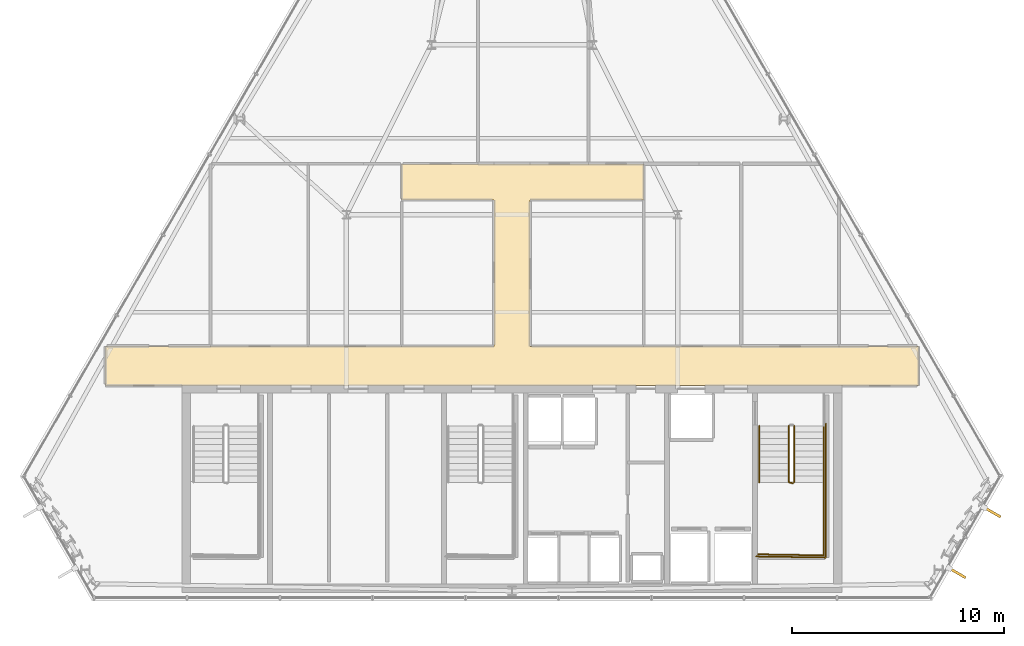
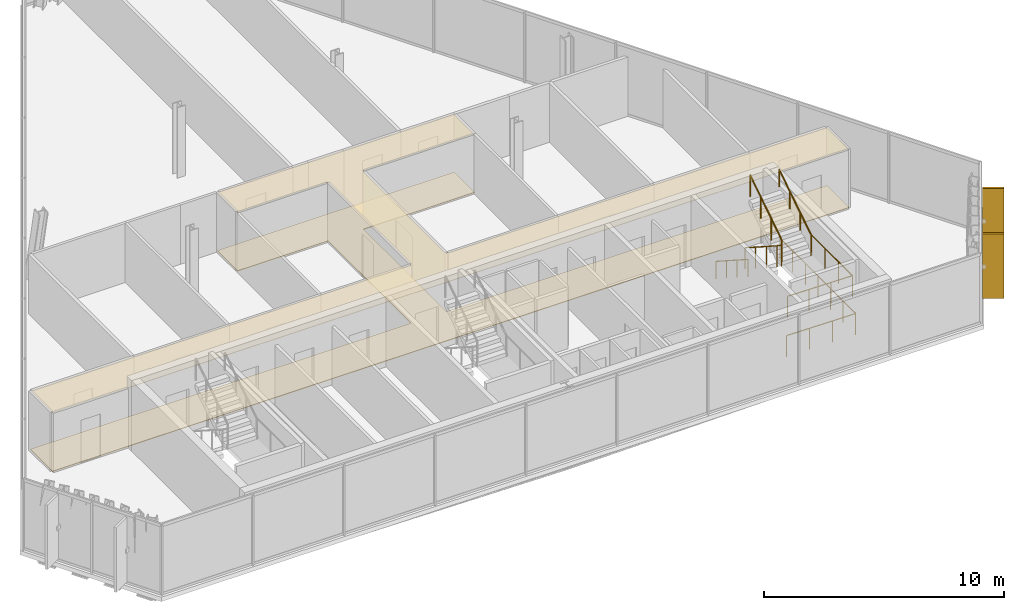
# One storey, part 28 of 29: 6 railings, 2 coverings, 2 shading devices.
"""IFC4 building model written with IfcOpenShell, lengths in metres."""

from ifc_helpers import new_model, si_unit, direction, frame, origin, origin_2d, place, context, subcontext, project, spatial, polyline, rectangle, circle, outline, extrude, material, layer, layer_set, type_object, element, save


model = new_model("IFC4")

# Units and contexts
model_context = context("Model", 3, precision=1e-05, world=origin(), true_north=direction((0.0, 1.0)))
body_context = subcontext(model_context, "Body", "Model", "MODEL_VIEW")
ifc_project = project(units=[si_unit("LENGTHUNIT", "METRE"), si_unit("AREAUNIT", "SQUARE_METRE"), si_unit("VOLUMEUNIT", "CUBIC_METRE"), si_unit("PLANEANGLEUNIT", "RADIAN"), si_unit("MASSUNIT", "GRAM", prefix="KILO")], contexts=[model_context])

# Site, building, storey
site_placement = place(None, origin())
site = spatial("IfcSite", under=ifc_project, at=site_placement, CompositionType="ELEMENT")
building_placement = place(site_placement, origin())
building = spatial("IfcBuilding", under=site, at=building_placement, Name="Ndaravel Arena Tower", CompositionType="ELEMENT")
storey_placement = place(building_placement, frame((0.0, 0.0, 248.39990234375)))
storey = spatial("IfcBuildingStorey", under=building, at=storey_placement, Name="L60", CompositionType="ELEMENT", Elevation=248.39990234375)

# Coverings
ifc_material_1 = material(Name="Acoustic Ceiling Tile", Category="finish")
ifc_layer_1 = layer(ifc_material_1, 0.02490234375)
ifc_layer_set_1 = layer_set([ifc_layer_1], Name="Acoustic Ceiling Tile")
covering_type_1 = type_object("IfcCoveringType", Name="COV-CEIL-AC600", PredefinedType="CEILING", material=ifc_layer_set_1)
covering_1_placement = place(storey_placement, frame((0.0, 0.0, 2.980712890625)))
element("IfcCovering", 1, at=covering_1_placement, inside=storey, type_object=covering_type_1, Name="L60 Corridor Acoustic Ceiling", PredefinedType="CEILING", context=body_context, shape_type="SweptSolid", body=[
    extrude(outline(polyline([(61.154052734375, 17.0), (42.85009765625, 17.0), (42.85009765625, 23.89990234375), (48.199951171875, 23.89990234375), (48.199951171875, 25.60009765625), (42.85009765625, 25.60009765625), (41.14990234375, 25.60009765625), (36.800048828125, 25.60009765625), (36.800048828125, 23.89990234375), (41.14990234375, 23.89990234375), (41.14990234375, 17.0), (22.845947265625, 17.0), (22.845947265625, 15.14990234375), (61.154052734375, 15.14990234375), (61.154052734375, 17.0)])), origin(), (0.0, 0.0, 1.0), 0.02490234375),
])
ifc_material_2 = material(Name="Terrazzo", Category="stone")
ifc_layer_2 = layer(ifc_material_2, 0.030029296875)
ifc_layer_set_2 = layer_set([ifc_layer_2], Name="Terrazzo")
covering_type_2 = type_object("IfcCoveringType", Name="COV-FLOOR-TERRAZZO", PredefinedType="FLOORING", material=ifc_layer_set_2)
covering_2_placement = place(storey_placement, origin())
element("IfcCovering", 2, at=covering_2_placement, inside=storey, type_object=covering_type_2, Name="L60 Corridor Terrazzo Flooring", PredefinedType="FLOORING", context=body_context, shape_type="SweptSolid", body=[
    extrude(outline(polyline([(61.154052734375, 17.0), (42.85009765625, 17.0), (42.85009765625, 23.89990234375), (48.199951171875, 23.89990234375), (48.199951171875, 25.60009765625), (42.85009765625, 25.60009765625), (41.14990234375, 25.60009765625), (36.800048828125, 25.60009765625), (36.800048828125, 23.89990234375), (41.14990234375, 23.89990234375), (41.14990234375, 17.0), (22.845947265625, 17.0), (22.845947265625, 15.14990234375), (61.154052734375, 15.14990234375), (61.154052734375, 17.0)])), origin(), (0.0, 0.0, 1.0), 0.030029296875),
])

# Railings
ifc_material_3 = material(Name="Steel S355", Category="steel")
ifc_layer_3 = layer(ifc_material_3, 0.06005859375)
ifc_layer_set_3 = layer_set([ifc_layer_3], Name="Steel S355")
railing_type_1 = type_object("IfcRailingType", Name="RAIL-STAIR-GD1100", PredefinedType="GUARDRAIL", material=ifc_layer_set_3)
railing_1_placement = place(storey_placement, frame((55.050048828125, 13.25, 0.190185546875)))
element("IfcRailing", 3, at=railing_1_placement, inside=storey, type_object=railing_type_1, Name="L60 ST-3 stair guard 1", PredefinedType="GUARDRAIL", context=body_context, shape_type="SweptSolid", body=[
    extrude(circle(Radius=0.02392578125, at=origin_2d()), frame((0.0, 0.0, 1.076171875), z_axis=(0.0, -0.840723540582, 0.54146461409), x_axis=(1.0, 0.0, 0.0)), (0.0, 0.0, 1.0), 3.157958984375),
    extrude(circle(Radius=0.02392578125, at=origin_2d()), frame((0.0, -2.655029296875, 2.7861328125), z_axis=(0.966993988697, -0.254799187253, 0.0), x_axis=(0.254799187253, 0.966993988697, 0.0)), (0.0, 0.0, 1.0), 0.196533203125),
    extrude(circle(Radius=0.02099609375, at=origin_2d()), origin(), (0.0, 0.0, 1.0), 1.052001953125),
    extrude(circle(Radius=0.02099609375, at=origin_2d()), frame((0.0, -0.885009765625, 0.570068359375)), (0.0, 0.0, 1.0), 1.052001953125),
    extrude(circle(Radius=0.02099609375, at=origin_2d()), frame((0.0, -1.77001953125, 1.139892578125)), (0.0, 0.0, 1.0), 1.052001953125),
    extrude(circle(Radius=0.02099609375, at=origin_2d()), frame((0.0, -2.655029296875, 1.7099609375)), (0.0, 0.0, 1.0), 1.052001953125),
    extrude(circle(Radius=0.02099609375, at=origin_2d()), frame((0.18994140625, -2.705078125, 1.7099609375)), (0.0, 0.0, 1.0), 1.052001953125),
])
railing_2_placement = place(storey_placement, frame((56.68994140625, 10.594970703125, 1.900146484375)))
element("IfcRailing", 4, at=railing_2_placement, inside=storey, type_object=railing_type_1, Name="L60 ST-3 stair guard 2", PredefinedType="GUARDRAIL", context=body_context, shape_type="SweptSolid", body=[
    extrude(circle(Radius=0.02392578125, at=origin_2d()), frame((0.0, 0.0, 1.076171875), z_axis=(0.0, -1.0, 0.0), x_axis=(1.0, 0.0, 0.0)), (0.0, 0.0, 1.0), 3.445068359375),
    extrude(circle(Radius=0.02392578125, at=origin_2d()), frame((0.0, -3.445068359375, 1.076171875), z_axis=(-0.999868840623, 0.016195726322, 0.0), x_axis=(-0.016195726322, -0.999868840623, 0.0)), (0.0, 0.0, 1.0), 3.09033203125),
    extrude(circle(Radius=0.02099609375, at=origin_2d()), origin(), (0.0, 0.0, 1.0), 1.052001953125),
    extrude(circle(Radius=0.02099609375, at=origin_2d()), frame((0.0, -1.1484375, 0.0)), (0.0, 0.0, 1.0), 1.052001953125),
    extrude(circle(Radius=0.02099609375, at=origin_2d()), frame((0.0, -2.296630859375, 0.0)), (0.0, 0.0, 1.0), 1.052001953125),
    extrude(circle(Radius=0.02099609375, at=origin_2d()), frame((0.0, -3.445068359375, 0.0)), (0.0, 0.0, 1.0), 1.052001953125),
    extrude(circle(Radius=0.02099609375, at=origin_2d()), frame((-1.030029296875, -3.428466796875, 0.0)), (0.0, 0.0, 1.0), 1.052001953125),
    extrude(circle(Radius=0.02099609375, at=origin_2d()), frame((-2.059814453125, -3.41162109375, 0.0)), (0.0, 0.0, 1.0), 1.052001953125),
    extrude(circle(Radius=0.02099609375, at=origin_2d()), frame((-3.08984375, -3.39501953125, 0.0)), (0.0, 0.0, 1.0), 1.052001953125),
])
railing_3_placement = place(storey_placement, frame((55.2900390625, 10.594970703125, 2.090087890625)))
element("IfcRailing", 5, at=railing_3_placement, inside=storey, type_object=railing_type_1, Name="L60 ST-3 stair guard 3", PredefinedType="GUARDRAIL", context=body_context, shape_type="SweptSolid", body=[
    extrude(circle(Radius=0.02392578125, at=origin_2d()), frame((0.0, 0.0, 1.076171875), z_axis=(0.0, 0.840723540582, 0.54146461409), x_axis=(-1.0, 0.0, 0.0)), (0.0, 0.0, 1.0), 3.157958984375),
    extrude(circle(Radius=0.02099609375, at=origin_2d()), origin(), (0.0, 0.0, 1.0), 1.052001953125),
    extrude(circle(Radius=0.02099609375, at=origin_2d()), frame((0.0, 0.885009765625, 0.570068359375)), (0.0, 0.0, 1.0), 1.052001953125),
    extrude(circle(Radius=0.02099609375, at=origin_2d()), frame((0.0, 1.77001953125, 1.139892578125)), (0.0, 0.0, 1.0), 1.052001953125),
    extrude(circle(Radius=0.02099609375, at=origin_2d()), frame((0.0, 2.655029296875, 1.7099609375)), (0.0, 0.0, 1.0), 1.052001953125),
])
railing_4_placement = place(storey_placement, frame((56.7900390625, 13.35009765625, 0.0)))
element("IfcRailing", 6, at=railing_4_placement, inside=storey, type_object=railing_type_1, Name="L60 ST-3 stair guard 6", PredefinedType="GUARDRAIL", context=body_context, shape_type="SweptSolid", body=[
    extrude(circle(Radius=0.02392578125, at=origin_2d()), frame((0.0, 0.0, 1.076171875), z_axis=(0.0, -1.0, 0.0), x_axis=(1.0, 0.0, 0.0)), (0.0, 0.0, 1.0), 6.300048828125),
    extrude(circle(Radius=0.02392578125, at=origin_2d()), frame((0.0, -6.300048828125, 1.076171875), z_axis=(-0.99988431412, 0.015210469308, 0.0), x_axis=(-0.015210469308, -0.99988431412, 0.0)), (0.0, 0.0, 1.0), 3.29052734375),
    extrude(circle(Radius=0.02099609375, at=origin_2d()), origin(), (0.0, 0.0, 1.0), 1.052001953125),
    extrude(circle(Radius=0.02099609375, at=origin_2d()), frame((0.0, -1.050048828125, 0.0)), (0.0, 0.0, 1.0), 1.052001953125),
    extrude(circle(Radius=0.02099609375, at=origin_2d()), frame((0.0, -2.10009765625, 0.0)), (0.0, 0.0, 1.0), 1.052001953125),
    extrude(circle(Radius=0.02099609375, at=origin_2d()), frame((0.0, -3.14990234375, 0.0)), (0.0, 0.0, 1.0), 1.052001953125),
    extrude(circle(Radius=0.02099609375, at=origin_2d()), frame((0.0, -4.199951171875, 0.0)), (0.0, 0.0, 1.0), 1.052001953125),
    extrude(circle(Radius=0.02099609375, at=origin_2d()), frame((0.0, -5.25, 0.0)), (0.0, 0.0, 1.0), 1.052001953125),
    extrude(circle(Radius=0.02099609375, at=origin_2d()), frame((0.0, -6.300048828125, 0.0)), (0.0, 0.0, 1.0), 1.052001953125),
    extrude(circle(Radius=0.02099609375, at=origin_2d()), frame((-1.0966796875, -6.283447265625, 0.0)), (0.0, 0.0, 1.0), 1.052001953125),
    extrude(circle(Radius=0.02099609375, at=origin_2d()), frame((-2.193359375, -6.2666015625, 0.0)), (0.0, 0.0, 1.0), 1.052001953125),
    extrude(circle(Radius=0.02099609375, at=origin_2d()), frame((-3.2900390625, -6.25, 0.0)), (0.0, 0.0, 1.0), 1.052001953125),
])
ifc_material_4 = material(Name="Steel S355", Category="steel")
ifc_layer_4 = layer(ifc_material_4, 0.050048828125)
ifc_layer_set_4 = layer_set([ifc_layer_4], Name="Steel S355")
railing_type_2 = type_object("IfcRailingType", Name="RAIL-STAIR-HR920", PredefinedType="HANDRAIL", material=ifc_layer_set_4)
railing_5_placement = place(storey_placement, frame((53.64990234375, 13.25, 0.190185546875)))
element("IfcRailing", 7, at=railing_5_placement, inside=storey, type_object=railing_type_2, Name="L60 ST-3 stair handrail 1", PredefinedType="HANDRAIL", context=body_context, shape_type="SweptSolid", body=[
    extrude(circle(Radius=0.02392578125, at=origin_2d()), frame((0.0, 0.0, 0.8759765625), z_axis=(0.0, -0.840723540582, 0.54146461409), x_axis=(1.0, 0.0, 0.0)), (0.0, 0.0, 1.0), 3.157958984375),
    extrude(circle(Radius=0.02099609375, at=origin_2d()), origin(), (0.0, 0.0, 1.0), 0.851806640625),
    extrude(circle(Radius=0.02099609375, at=origin_2d()), frame((0.0, -0.885009765625, 0.570068359375)), (0.0, 0.0, 1.0), 0.851806640625),
    extrude(circle(Radius=0.02099609375, at=origin_2d()), frame((0.0, -1.77001953125, 1.139892578125)), (0.0, 0.0, 1.0), 0.851806640625),
    extrude(circle(Radius=0.02099609375, at=origin_2d()), frame((0.0, -2.655029296875, 1.7099609375)), (0.0, 0.0, 1.0), 0.851806640625),
])
railing_6_placement = place(storey_placement, frame((56.68994140625, 10.594970703125, 2.090087890625)))
element("IfcRailing", 8, at=railing_6_placement, inside=storey, type_object=railing_type_2, Name="L60 ST-3 stair handrail 2", PredefinedType="HANDRAIL", context=body_context, shape_type="SweptSolid", body=[
    extrude(circle(Radius=0.02392578125, at=origin_2d()), frame((0.0, 0.0, 0.8759765625), z_axis=(0.0, 0.840723540582, 0.54146461409), x_axis=(-1.0, 0.0, 0.0)), (0.0, 0.0, 1.0), 3.157958984375),
    extrude(circle(Radius=0.02099609375, at=origin_2d()), origin(), (0.0, 0.0, 1.0), 0.851806640625),
    extrude(circle(Radius=0.02099609375, at=origin_2d()), frame((0.0, 0.885009765625, 0.570068359375)), (0.0, 0.0, 1.0), 0.851806640625),
    extrude(circle(Radius=0.02099609375, at=origin_2d()), frame((0.0, 1.77001953125, 1.139892578125)), (0.0, 0.0, 1.0), 0.851806640625),
    extrude(circle(Radius=0.02099609375, at=origin_2d()), frame((0.0, 2.655029296875, 1.7099609375)), (0.0, 0.0, 1.0), 0.851806640625),
])

# Shading devices
ifc_material_5 = material(Name="Masonry", Category="masonry")
shading_device_type = type_object("IfcShadingDeviceType", Name="SHD-MAZERAS-FIN", PredefinedType="SHUTTER", material=ifc_material_5)
for number, where, z_axis, x_axis, name in (
    (9, (62.98046875, 6.323486328125, 0.14990234375), (0.0, 0.0, 1.0), (0.866025403784, -0.5, 0.0), "L60 Mazeras Stone Solar Fin E2.1"),
    (10, (64.632080078125, 9.1845703125, 0.14990234375), (0.0, 0.0, 1.0), (0.866025403784, -0.5, 0.0), "L60 Mazeras Stone Solar Fin E2.2"),
):
    element("IfcShadingDevice", number, at=place(storey_placement, frame(where, z_axis=z_axis, x_axis=x_axis)), inside=storey, type_object=shading_device_type, Name=name, PredefinedType="SHUTTER", context=body_context, shape_type="SweptSolid", body=[
        extrude(rectangle(XDim=0.89990234375, YDim=0.1201171875, at=origin_2d()), origin(), (0.0, 0.0, 1.0), 3.280029296875),
    ])

save(model, "model.ifc")
